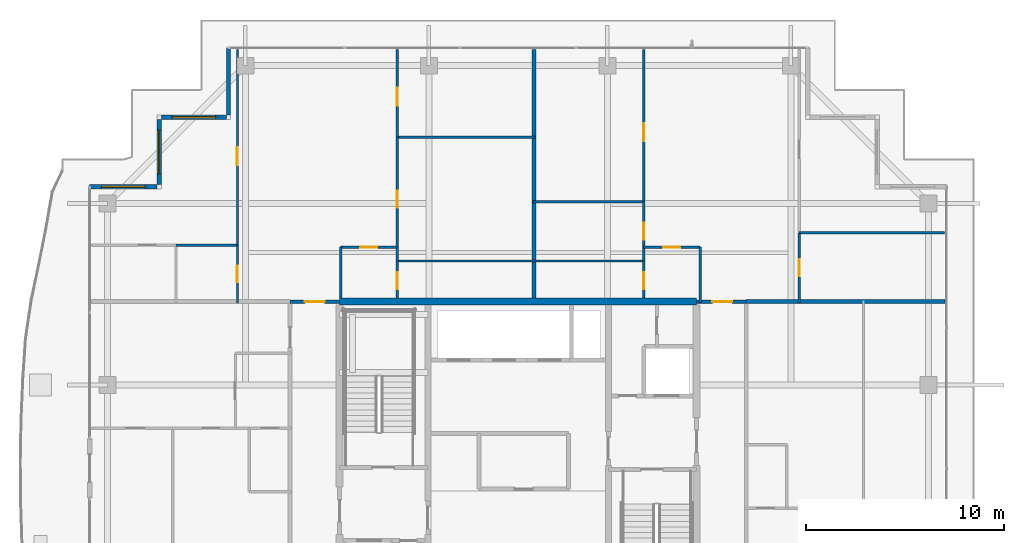
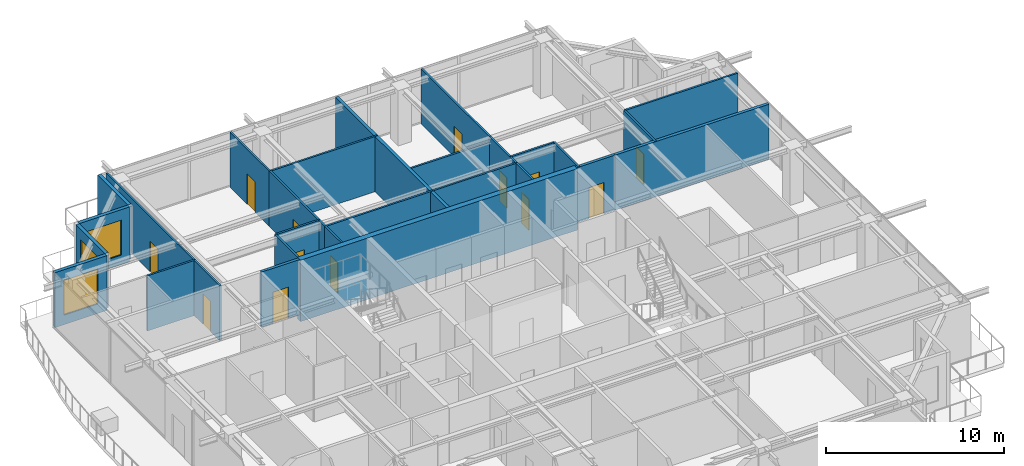
# One storey, part 28 of 36: 28 walls, 13 doors, 3 windows, 16 openings.
"""IFC4 building model written with IfcOpenShell, lengths in metres."""

from ifc_helpers import new_model, si_unit, direction, frame, frame_2d, origin, place, context, subcontext, project, spatial, rectangle, extrude, source, transform, mapped, material, layer, layer_set, type_object, element, fill, save


model = new_model("IFC4")

# Units and contexts
model_context = context("Model", 3, precision=1e-05, world=origin(), true_north=direction((0.0, 1.0)))
body_context = subcontext(model_context, "Body", "Model", "MODEL_VIEW")
ifc_project = project(units=[si_unit("LENGTHUNIT", "METRE"), si_unit("AREAUNIT", "SQUARE_METRE"), si_unit("VOLUMEUNIT", "CUBIC_METRE"), si_unit("PLANEANGLEUNIT", "RADIAN"), si_unit("MASSUNIT", "GRAM", prefix="KILO")], contexts=[model_context])

# Site, building, storey
site_placement = place(None, origin())
site = spatial("IfcSite", under=ifc_project, at=site_placement, CompositionType="ELEMENT")
building_placement = place(site_placement, origin())
building = spatial("IfcBuilding", under=site, at=building_placement, Name="Serunith Strait Residences", CompositionType="ELEMENT")
storey_placement = place(building_placement, frame((0.0, 0.0, 338.0)))
storey = spatial("IfcBuildingStorey", under=building, at=storey_placement, Name="L84", CompositionType="ELEMENT", Elevation=338.0)

# Wall
ifc_material_1 = material(Name="Pale-Champagne Aluminium Insulated Panel", Category="aluminium")
ifc_layer_1 = layer(ifc_material_1, 0.219970703125, Name="Pale-Champagne Aluminium Insulated Panel")
ifc_layer_set_1 = layer_set([ifc_layer_1], Name="Pale-Champagne Aluminium Insulated Panel")
wall_type_1 = type_object("IfcWallType", Name="EW-ALUM-220", PredefinedType="ELEMENTEDWALL", material=ifc_layer_set_1)
wall_1_placement = place(storey_placement, frame((17.800048828125, 46.39990234375, 0.0), z_axis=(0.0, 0.0, 1.0), x_axis=(0.0, -1.0, 0.0)))
element("IfcWall", 1, at=wall_1_placement, inside=storey, type_object=wall_type_1, Name="L84 Girih Serrated Corner Wall 12", PredefinedType="ELEMENTEDWALL", context=body_context, shape_type="SweptSolid", body=[
    extrude(rectangle(XDim=3.389892578125, YDim=0.219970703125, at=frame_2d((1.69482421875, 0.0))), origin(), (0.0, 0.0, 1.0), 3.77490234375),
])

# Wall, opening, window
wall_2_placement = place(storey_placement, frame((17.68994140625, 42.89990234375, 0.0), z_axis=(0.0, 0.0, 1.0), x_axis=(-1.0, 0.0, 0.0)))
wall_2 = element("IfcWall", 2, at=wall_2_placement, inside=storey, type_object=wall_type_1, Name="L84 Girih Serrated Corner Wall 13", PredefinedType="ELEMENTEDWALL", context=body_context, shape_type="SweptSolid", body=[
    extrude(rectangle(XDim=3.280029296875, YDim=0.219970703125, at=frame_2d((1.64013671875, 0.0))), origin(), (0.0, 0.0, 1.0), 3.77490234375),
])
opening_1_placement = place(wall_2_placement, frame((0.5400390625, 0.0, 0.64990234375)))
opening_1 = element("IfcOpeningElement", 3, at=opening_1_placement, cuts=wall_2, Name="Opening W-06", PredefinedType="OPENING", context=body_context, shape_type="SweptSolid", body=[
    extrude(rectangle(XDim=2.199951171875, YDim=2.39990234375, at=frame_2d((1.10009765625, 1.199951171875))), frame((0.0, 0.1201171875, 0.0), z_axis=(0.0, -1.0, 0.0), x_axis=(1.0, 0.0, 0.0)), (0.0, 0.0, 1.0), 0.239990234375),
])
ifc_material_2 = material(Name="Crown Penthouse Low-E Operable Window Glass", Category="glass")
window_type = type_object("IfcWindowType", Name="WIN-C6", PartitioningType="TRIPLE_PANEL_VERTICAL", PredefinedType="WINDOW", material=ifc_material_2)
shared_shape_1 = source(origin(), body_context, "Body", "SweptSolid", [
    extrude(rectangle(XDim=2.199951171875, YDim=2.39990234375, at=frame_2d((1.10009765625, 1.199951171875))), frame((0.0, 0.030029296875, 0.0), z_axis=(0.0, -1.0, 0.0), x_axis=(1.0, 0.0, 0.0)), (0.0, 0.0, 1.0), 0.06005859375),
])
window_1_placement = place(opening_1_placement, origin())
window_1 = element("IfcWindow", 4, at=window_1_placement, inside=storey, type_object=window_type, Name="L84 Corner Operable Fritted Window 13", OverallHeight=2.39990234375, OverallWidth=2.199951171875, PartitioningType="SINGLE_PANEL", PredefinedType="WINDOW", context=body_context, shape_type="MappedRepresentation", body=[
    mapped(shared_shape_1, transform((0.0, 0.0, 0.0), scale=1.0)),
])
fill(opening_1, window_1)

wall_3_placement = place(storey_placement, frame((14.300048828125, 42.7900390625, 0.0), z_axis=(0.0, 0.0, 1.0), x_axis=(0.0, -1.0, 0.0)))
wall_3 = element("IfcWall", 5, at=wall_3_placement, inside=storey, type_object=wall_type_1, Name="L84 Girih Serrated Corner Wall 14", PredefinedType="ELEMENTEDWALL", context=body_context, shape_type="SweptSolid", body=[
    extrude(rectangle(XDim=3.280029296875, YDim=0.219970703125, at=frame_2d((1.64013671875, 0.0))), origin(), (0.0, 0.0, 1.0), 3.77490234375),
])
opening_2_placement = place(wall_3_placement, frame((0.5400390625, 0.0, 0.64990234375)))
opening_2 = element("IfcOpeningElement", 6, at=opening_2_placement, cuts=wall_3, Name="Opening W-06", PredefinedType="OPENING", context=body_context, shape_type="SweptSolid", body=[
    extrude(rectangle(XDim=2.199951171875, YDim=2.39990234375, at=frame_2d((1.10009765625, 1.199951171875))), frame((0.0, 0.1201171875, 0.0), z_axis=(0.0, -1.0, 0.0), x_axis=(1.0, 0.0, 0.0)), (0.0, 0.0, 1.0), 0.239990234375),
])
window_2_placement = place(opening_2_placement, origin())
window_2 = element("IfcWindow", 7, at=window_2_placement, inside=storey, type_object=window_type, Name="L84 Corner Operable Fritted Window 14", OverallHeight=2.39990234375, OverallWidth=2.199951171875, PartitioningType="SINGLE_PANEL", PredefinedType="WINDOW", context=body_context, shape_type="MappedRepresentation", body=[
    mapped(shared_shape_1, transform((0.0, 0.0, 0.0), scale=1.0)),
])
fill(opening_2, window_2)

wall_4_placement = place(storey_placement, frame((14.18994140625, 39.39990234375, 0.0), z_axis=(0.0, 0.0, 1.0), x_axis=(-1.0, 0.0, 0.0)))
wall_4 = element("IfcWall", 8, at=wall_4_placement, inside=storey, type_object=wall_type_1, Name="L84 Girih Serrated Corner Wall 15", PredefinedType="ELEMENTEDWALL", context=body_context, shape_type="SweptSolid", body=[
    extrude(rectangle(XDim=3.389892578125, YDim=0.219970703125, at=frame_2d((1.69482421875, 0.0))), origin(), (0.0, 0.0, 1.0), 3.77490234375),
])
opening_3_placement = place(wall_4_placement, frame((0.594970703125, 0.0, 0.64990234375)))
opening_3 = element("IfcOpeningElement", 9, at=opening_3_placement, cuts=wall_4, Name="Opening W-06", PredefinedType="OPENING", context=body_context, shape_type="SweptSolid", body=[
    extrude(rectangle(XDim=2.199951171875, YDim=2.39990234375, at=frame_2d((1.10009765625, 1.199951171875))), frame((0.0, 0.1201171875, 0.0), z_axis=(0.0, -1.0, 0.0), x_axis=(1.0, 0.0, 0.0)), (0.0, 0.0, 1.0), 0.239990234375),
])
window_3_placement = place(opening_3_placement, origin())
window_3 = element("IfcWindow", 10, at=window_3_placement, inside=storey, type_object=window_type, Name="L84 Corner Operable Fritted Window 15", OverallHeight=2.39990234375, OverallWidth=2.199951171875, PartitioningType="SINGLE_PANEL", PredefinedType="WINDOW", context=body_context, shape_type="MappedRepresentation", body=[
    mapped(shared_shape_1, transform((0.0, 0.0, 0.0), scale=1.0)),
])
fill(opening_3, window_3)

# Wall, opening, door
ifc_material_3 = material(Name="Fire-rated acoustic gypsum partition")
ifc_layer_2 = layer(ifc_material_3, 0.179931640625, Name="Fire-rated acoustic gypsum partition")
ifc_layer_set_2 = layer_set([ifc_layer_2], Name="Fire-rated acoustic gypsum partition")
wall_type_2 = type_object("IfcWallType", Name="IW-CORR-180", PredefinedType="PARTITIONING", material=ifc_layer_set_2)
wall_5_placement = place(storey_placement, frame((20.902099609375, 33.60009765625, 0.0), z_axis=(0.0, 0.0, 1.0), x_axis=(1.0, 0.0, 0.0)))
wall_5 = element("IfcWall", 11, at=wall_5_placement, inside=storey, type_object=wall_type_2, Name="L84 Partition Wall 027", PredefinedType="PARTITIONING", context=body_context, shape_type="SweptSolid", body=[
    extrude(rectangle(XDim=2.495849609375, YDim=0.179931640625, at=frame_2d((1.248046875, 0.0))), origin(), (0.0, 0.0, 1.0), 3.7900390625),
])
opening_4_placement = place(wall_5_placement, frame((0.748046875, 0.0, 0.0)))
opening_4 = element("IfcOpeningElement", 12, at=opening_4_placement, cuts=wall_5, Name="Opening D-APT1000", PredefinedType="OPENING", context=body_context, shape_type="SweptSolid", body=[
    extrude(rectangle(XDim=1.0, YDim=2.14990234375, at=frame_2d((0.5, 1.074951171875))), frame((0.0, 0.10009765625, 0.0), z_axis=(0.0, -1.0, 0.0), x_axis=(1.0, 0.0, 0.0)), (0.0, 0.0, 1.0), 0.199951171875),
])
ifc_material_4 = material(Name="Solid timber engineered fire door", Category="wood")
door_type_1 = type_object("IfcDoorType", Name="ID-APT-1000", OperationType="NOTDEFINED", PredefinedType="DOOR", material=ifc_material_4)
shared_shape_2 = source(origin(), body_context, "Body", "SweptSolid", [
    extrude(rectangle(XDim=1.0, YDim=2.14990234375, at=frame_2d((0.5, 1.074951171875))), frame((0.0, 0.02490234375, 0.0), z_axis=(0.0, -1.0, 0.0), x_axis=(1.0, 0.0, 0.0)), (0.0, 0.0, 1.0), 0.050048828125),
])
door_1_placement = place(opening_4_placement, origin())
door_1 = element("IfcDoor", 13, at=door_1_placement, inside=storey, type_object=door_type_1, Name="L84 Unit 03 Entrance Door", OperationType="SINGLE_SWING_RIGHT", OverallHeight=2.14990234375, OverallWidth=1.0, PredefinedType="DOOR", context=body_context, shape_type="MappedRepresentation", body=[
    mapped(shared_shape_2, transform((0.0, 0.0, 0.0), scale=1.0)),
])
fill(opening_4, door_1)

wall_6_placement = place(storey_placement, frame((41.402099609375, 33.60009765625, 0.0), z_axis=(0.0, 0.0, 1.0), x_axis=(1.0, 0.0, 0.0)))
wall_6 = element("IfcWall", 14, at=wall_6_placement, inside=storey, type_object=wall_type_2, Name="L84 Partition Wall 030", PredefinedType="PARTITIONING", context=body_context, shape_type="SweptSolid", body=[
    extrude(rectangle(XDim=2.495849609375, YDim=0.179931640625, at=frame_2d((1.248046875, 0.0))), origin(), (0.0, 0.0, 1.0), 3.7900390625),
])
opening_5_placement = place(wall_6_placement, frame((0.7900390625, 0.0, 0.0)))
opening_5 = element("IfcOpeningElement", 15, at=opening_5_placement, cuts=wall_6, Name="Opening D-APT1000", PredefinedType="OPENING", context=body_context, shape_type="SweptSolid", body=[
    extrude(rectangle(XDim=1.0, YDim=2.14990234375, at=frame_2d((0.5, 1.074951171875))), frame((0.0, 0.10009765625, 0.0), z_axis=(0.0, -1.0, 0.0), x_axis=(1.0, 0.0, 0.0)), (0.0, 0.0, 1.0), 0.199951171875),
])
door_2_placement = place(opening_5_placement, origin())
door_2 = element("IfcDoor", 16, at=door_2_placement, inside=storey, type_object=door_type_1, Name="L84 Unit 04 Entrance Door", OperationType="SINGLE_SWING_LEFT", OverallHeight=2.14990234375, OverallWidth=1.0, PredefinedType="DOOR", context=body_context, shape_type="MappedRepresentation", body=[
    mapped(shared_shape_2, transform((0.0, 0.0, 0.0), scale=1.0)),
])
fill(opening_5, door_2)

ifc_material_5 = material(Name="Lightweight steel-stud gypsum partition", Category="steel")
ifc_layer_3 = layer(ifc_material_5, 0.1201171875, Name="Lightweight steel-stud gypsum partition")
ifc_layer_set_3 = layer_set([ifc_layer_3], Name="Lightweight steel-stud gypsum partition")
wall_type_3 = type_object("IfcWallType", Name="IW-PART-120", PredefinedType="PARTITIONING", material=ifc_layer_set_3)
wall_7_placement = place(storey_placement, frame((23.449951171875, 36.35009765625, 0.0), z_axis=(0.0, 0.0, 1.0), x_axis=(1.0, 0.0, 0.0)))
wall_7 = element("IfcWall", 17, at=wall_7_placement, inside=storey, type_object=wall_type_3, Name="L84 Partition Wall 054", PredefinedType="PARTITIONING", context=body_context, shape_type="SweptSolid", body=[
    extrude(rectangle(XDim=2.85009765625, YDim=0.1201171875, at=frame_2d((1.425048828125, 0.0))), origin(), (0.0, 0.0, 1.0), 3.7900390625),
])
opening_6_placement = place(wall_7_placement, frame((1.0, 0.0, 0.0)))
opening_6 = element("IfcOpeningElement", 18, at=opening_6_placement, cuts=wall_7, Name="Opening D-RM850", PredefinedType="OPENING", context=body_context, shape_type="SweptSolid", body=[
    extrude(rectangle(XDim=0.85009765625, YDim=2.10009765625, at=frame_2d((0.425048828125, 1.050048828125))), frame((0.0, 0.070068359375, 0.0), z_axis=(0.0, -1.0, 0.0), x_axis=(1.0, 0.0, 0.0)), (0.0, 0.0, 1.0), 0.14013671875),
])
ifc_material_6 = material(Name="Engineered timber flush study and kitchen door", Category="wood")
door_type_2 = type_object("IfcDoorType", Name="ID-ROOM-850", OperationType="NOTDEFINED", PredefinedType="DOOR", material=ifc_material_6)
shared_shape_3 = source(origin(), body_context, "Body", "SweptSolid", [
    extrude(rectangle(XDim=0.85009765625, YDim=2.10009765625, at=frame_2d((0.425048828125, 1.050048828125))), frame((0.0, 0.02490234375, 0.0), z_axis=(0.0, -1.0, 0.0), x_axis=(1.0, 0.0, 0.0)), (0.0, 0.0, 1.0), 0.050048828125),
])
door_3_placement = place(opening_6_placement, origin())
door_3 = element("IfcDoor", 19, at=door_3_placement, inside=storey, type_object=door_type_2, Name="L84 Kitchen 8403 Door", OperationType="SINGLE_SWING_RIGHT", OverallHeight=2.10009765625, OverallWidth=0.85009765625, PredefinedType="DOOR", context=body_context, shape_type="MappedRepresentation", body=[
    mapped(shared_shape_3, transform((0.0, 0.0, 0.0), scale=1.0)),
])
fill(opening_6, door_3)

# Wall
wall_8_placement = place(storey_placement, frame((23.449951171875, 36.35009765625, 0.0), z_axis=(0.0, 0.0, 1.0), x_axis=(0.0, -1.0, 0.0)))
element("IfcWall", 20, at=wall_8_placement, inside=storey, type_object=wall_type_3, Name="L84 Partition Wall 055", PredefinedType="PARTITIONING", context=body_context, shape_type="SweptSolid", body=[
    extrude(rectangle(XDim=2.5751953125, YDim=0.1201171875, at=frame_2d((1.28759765625, 0.0))), origin(), (0.0, 0.0, 1.0), 3.7900390625),
])

# Wall, opening, door
wall_9_placement = place(storey_placement, frame((18.25, 46.304931640625, 0.0), z_axis=(0.0, 0.0, 1.0), x_axis=(0.0, -1.0, 0.0)))
wall_9 = element("IfcWall", 21, at=wall_9_placement, inside=storey, type_object=wall_type_3, Name="L84 Partition Wall 056", PredefinedType="PARTITIONING", context=body_context, shape_type="SweptSolid", body=[
    extrude(rectangle(XDim=9.848876953125, YDim=0.1201171875, at=frame_2d((4.92431640625, 0.0))), origin(), (0.0, 0.0, 1.0), 3.7900390625),
])
opening_7_placement = place(wall_9_placement, frame((4.922119140625, 0.0, 0.0)))
opening_7 = element("IfcOpeningElement", 22, at=opening_7_placement, cuts=wall_9, Name="Opening D-RM900", PredefinedType="OPENING", context=body_context, shape_type="SweptSolid", body=[
    extrude(rectangle(XDim=0.89990234375, YDim=2.10009765625, at=frame_2d((0.449951171875, 1.050048828125))), frame((0.0, 0.070068359375, 0.0), z_axis=(0.0, -1.0, 0.0), x_axis=(1.0, 0.0, 0.0)), (0.0, 0.0, 1.0), 0.14013671875),
])
ifc_material_7 = material(Name="Engineered timber flush bedroom door", Category="wood")
door_type_3 = type_object("IfcDoorType", Name="ID-ROOM-900", OperationType="NOTDEFINED", PredefinedType="DOOR", material=ifc_material_7)
shared_shape_4 = source(origin(), body_context, "Body", "SweptSolid", [
    extrude(rectangle(XDim=0.89990234375, YDim=2.10009765625, at=frame_2d((0.449951171875, 1.050048828125))), frame((0.0, 0.02490234375, 0.0), z_axis=(0.0, -1.0, 0.0), x_axis=(1.0, 0.0, 0.0)), (0.0, 0.0, 1.0), 0.050048828125),
])
door_4_placement = place(opening_7_placement, origin())
door_4 = element("IfcDoor", 23, at=door_4_placement, inside=storey, type_object=door_type_3, Name="L84 Master Bedroom 1 8403 Door", OperationType="SINGLE_SWING_LEFT", OverallHeight=2.10009765625, OverallWidth=0.89990234375, PredefinedType="DOOR", context=body_context, shape_type="MappedRepresentation", body=[
    mapped(shared_shape_4, transform((0.0, 0.0, 0.0), scale=1.0)),
])
fill(opening_7, door_4)

# Wall
wall_10_placement = place(storey_placement, frame((15.152099609375, 36.4560546875, 0.0), z_axis=(0.0, 0.0, 1.0), x_axis=(1.0, 0.0, 0.0)))
element("IfcWall", 24, at=wall_10_placement, inside=storey, type_object=wall_type_3, Name="L84 Partition Wall 058", PredefinedType="PARTITIONING", context=body_context, shape_type="SweptSolid", body=[
    extrude(rectangle(XDim=3.097900390625, YDim=0.1201171875, at=frame_2d((1.548828125, 0.0))), origin(), (0.0, 0.0, 1.0), 3.7900390625),
])

# Wall, opening, door
wall_11_placement = place(storey_placement, frame((18.25, 36.4541015625, 0.0), z_axis=(0.0, 0.0, 1.0), x_axis=(0.0, -1.0, 0.0)))
wall_11 = element("IfcWall", 25, at=wall_11_placement, inside=storey, type_object=wall_type_3, Name="L84 Partition Wall 060", PredefinedType="PARTITIONING", context=body_context, shape_type="SweptSolid", body=[
    extrude(rectangle(XDim=2.9140625, YDim=0.1201171875, at=frame_2d((1.45703125, 0.0))), origin(), (0.0, 0.0, 1.0), 3.7900390625),
])
opening_8_placement = place(wall_11_placement, frame((1.031982421875, 0.0, 0.0)))
opening_8 = element("IfcOpeningElement", 26, at=opening_8_placement, cuts=wall_11, Name="Opening D-BTH850", PredefinedType="OPENING", context=body_context, shape_type="SweptSolid", body=[
    extrude(rectangle(XDim=0.85009765625, YDim=2.10009765625, at=frame_2d((0.425048828125, 1.050048828125))), frame((0.0, 0.070068359375, 0.0), z_axis=(0.0, -1.0, 0.0), x_axis=(1.0, 0.0, 0.0)), (0.0, 0.0, 1.0), 0.14013671875),
])
ifc_material_8 = material(Name="Moisture-resistant timber bathroom door", Category="wood")
door_type_4 = type_object("IfcDoorType", Name="ID-BATH-850", OperationType="NOTDEFINED", PredefinedType="DOOR", material=ifc_material_8)
door_5_placement = place(opening_8_placement, origin())
door_5 = element("IfcDoor", 27, at=door_5_placement, inside=storey, type_object=door_type_4, Name="L84 Bathroom 8403 Door", OperationType="SINGLE_SWING_LEFT", OverallHeight=2.10009765625, OverallWidth=0.85009765625, PredefinedType="DOOR", context=body_context, shape_type="MappedRepresentation", body=[
    mapped(shared_shape_3, transform((0.0, 0.0, 0.0), scale=1.0)),
])
fill(opening_8, door_5)

wall_12_placement = place(storey_placement, frame((26.300048828125, 46.304931640625, 0.0), z_axis=(0.0, 0.0, 1.0), x_axis=(0.0, -1.0, 0.0)))
wall_12 = element("IfcWall", 28, at=wall_12_placement, inside=storey, type_object=wall_type_3, Name="L84 Partition Wall 061", PredefinedType="PARTITIONING", context=body_context, shape_type="SweptSolid", body=[
    extrude(rectangle(XDim=4.404052734375, YDim=0.1201171875, at=frame_2d((2.2021484375, 0.0))), origin(), (0.0, 0.0, 1.0), 3.7900390625),
])
opening_9_placement = place(wall_12_placement, frame((1.927001953125, 0.0, 0.0)))
opening_9 = element("IfcOpeningElement", 29, at=opening_9_placement, cuts=wall_12, Name="Opening D-RM900", PredefinedType="OPENING", context=body_context, shape_type="SweptSolid", body=[
    extrude(rectangle(XDim=0.89990234375, YDim=2.10009765625, at=frame_2d((0.449951171875, 1.050048828125))), frame((0.0, 0.070068359375, 0.0), z_axis=(0.0, -1.0, 0.0), x_axis=(1.0, 0.0, 0.0)), (0.0, 0.0, 1.0), 0.14013671875),
])
door_6_placement = place(opening_9_placement, origin())
door_6 = element("IfcDoor", 30, at=door_6_placement, inside=storey, type_object=door_type_3, Name="L84 Bedroom 2 8403 Door", OperationType="SINGLE_SWING_RIGHT", OverallHeight=2.10009765625, OverallWidth=0.89990234375, PredefinedType="DOOR", context=body_context, shape_type="MappedRepresentation", body=[
    mapped(shared_shape_4, transform((0.0, 0.0, 0.0), scale=1.0)),
])
fill(opening_9, door_6)

# Walls
for number, where, z_axis, x_axis, name in (
    (31, (26.300048828125, 41.90087890625, 0.0), (0.0, 0.0, 1.0), (1.0, 0.0, 0.0), "L84 Partition Wall 062"),
    (32, (26.300048828125, 35.64990234375, 0.0), (0.0, 0.0, 1.0), (1.0, 0.0, 0.0), "L84 Partition Wall 063"),
):
    element("IfcWall", number, at=place(storey_placement, frame(where, z_axis=z_axis, x_axis=x_axis)), inside=storey, type_object=wall_type_3, Name=name, PredefinedType="PARTITIONING", context=body_context, shape_type="SweptSolid", body=[
        extrude(rectangle(XDim=6.9599609375, YDim=0.1201171875, at=frame_2d((3.47998046875, 0.0))), origin(), (0.0, 0.0, 1.0), 3.7900390625),
    ])

# Wall, opening, door
wall_13_placement = place(storey_placement, frame((26.300048828125, 41.89892578125, 0.0), z_axis=(0.0, 0.0, 1.0), x_axis=(0.0, -1.0, 0.0)))
wall_13 = element("IfcWall", 33, at=wall_13_placement, inside=storey, type_object=wall_type_3, Name="L84 Partition Wall 064", PredefinedType="PARTITIONING", context=body_context, shape_type="SweptSolid", body=[
    extrude(rectangle(XDim=6.2490234375, YDim=0.1201171875, at=frame_2d((3.12451171875, 0.0))), origin(), (0.0, 0.0, 1.0), 3.7900390625),
])
opening_10_placement = place(wall_13_placement, frame((2.699951171875, 0.0, 0.0)))
opening_10 = element("IfcOpeningElement", 34, at=opening_10_placement, cuts=wall_13, Name="Opening D-RM850", PredefinedType="OPENING", context=body_context, shape_type="SweptSolid", body=[
    extrude(rectangle(XDim=0.85009765625, YDim=2.10009765625, at=frame_2d((0.425048828125, 1.050048828125))), frame((0.0, 0.070068359375, 0.0), z_axis=(0.0, -1.0, 0.0), x_axis=(1.0, 0.0, 0.0)), (0.0, 0.0, 1.0), 0.14013671875),
])
door_7_placement = place(opening_10_placement, origin())
door_7 = element("IfcDoor", 35, at=door_7_placement, inside=storey, type_object=door_type_2, Name="L84 Walk-in Wardrobe 8403 Door", OperationType="SINGLE_SWING_LEFT", OverallHeight=2.10009765625, OverallWidth=0.85009765625, PredefinedType="DOOR", context=body_context, shape_type="MappedRepresentation", body=[
    mapped(shared_shape_3, transform((0.0, 0.0, 0.0), scale=1.0)),
])
fill(opening_10, door_7)

wall_14_placement = place(storey_placement, frame((26.300048828125, 35.64794921875, 0.0), z_axis=(0.0, 0.0, 1.0), x_axis=(0.0, -1.0, 0.0)))
wall_14 = element("IfcWall", 36, at=wall_14_placement, inside=storey, type_object=wall_type_3, Name="L84 Partition Wall 065", PredefinedType="PARTITIONING", context=body_context, shape_type="SweptSolid", body=[
    extrude(rectangle(XDim=1.873046875, YDim=0.1201171875, at=frame_2d((0.9365234375, 0.0))), origin(), (0.0, 0.0, 1.0), 3.7900390625),
])
opening_11_placement = place(wall_14_placement, frame((0.574951171875, 0.0, 0.0)))
opening_11 = element("IfcOpeningElement", 37, at=opening_11_placement, cuts=wall_14, Name="Opening D-BTH850", PredefinedType="OPENING", context=body_context, shape_type="SweptSolid", body=[
    extrude(rectangle(XDim=0.85009765625, YDim=2.10009765625, at=frame_2d((0.425048828125, 1.050048828125))), frame((0.0, 0.070068359375, 0.0), z_axis=(0.0, -1.0, 0.0), x_axis=(1.0, 0.0, 0.0)), (0.0, 0.0, 1.0), 0.14013671875),
])
door_8_placement = place(opening_11_placement, origin())
door_8 = element("IfcDoor", 38, at=door_8_placement, inside=storey, type_object=door_type_4, Name="L84 Bathroom 8403 Door", OperationType="SINGLE_SWING_RIGHT", OverallHeight=2.10009765625, OverallWidth=0.85009765625, PredefinedType="DOOR", context=body_context, shape_type="MappedRepresentation", body=[
    mapped(shared_shape_3, transform((0.0, 0.0, 0.0), scale=1.0)),
])
fill(opening_11, door_8)

wall_15_placement = place(storey_placement, frame((38.72998046875, 36.35009765625, 0.0), z_axis=(0.0, 0.0, 1.0), x_axis=(1.0, 0.0, 0.0)))
wall_15 = element("IfcWall", 39, at=wall_15_placement, inside=storey, type_object=wall_type_3, Name="L84 Partition Wall 066", PredefinedType="PARTITIONING", context=body_context, shape_type="SweptSolid", body=[
    extrude(rectangle(XDim=2.85009765625, YDim=0.1201171875, at=frame_2d((1.425048828125, 0.0))), origin(), (0.0, 0.0, 1.0), 3.7900390625),
])
opening_12_placement = place(wall_15_placement, frame((1.0, 0.0, 0.0)))
opening_12 = element("IfcOpeningElement", 40, at=opening_12_placement, cuts=wall_15, Name="Opening D-RM850", PredefinedType="OPENING", context=body_context, shape_type="SweptSolid", body=[
    extrude(rectangle(XDim=0.85009765625, YDim=2.10009765625, at=frame_2d((0.425048828125, 1.050048828125))), frame((0.0, 0.070068359375, 0.0), z_axis=(0.0, -1.0, 0.0), x_axis=(1.0, 0.0, 0.0)), (0.0, 0.0, 1.0), 0.14013671875),
])
door_9_placement = place(opening_12_placement, origin())
door_9 = element("IfcDoor", 41, at=door_9_placement, inside=storey, type_object=door_type_2, Name="L84 Kitchen 8404 Door", OperationType="SINGLE_SWING_LEFT", OverallHeight=2.10009765625, OverallWidth=0.85009765625, PredefinedType="DOOR", context=body_context, shape_type="MappedRepresentation", body=[
    mapped(shared_shape_3, transform((0.0, 0.0, 0.0), scale=1.0)),
])
fill(opening_12, door_9)

# Wall
wall_16_placement = place(storey_placement, frame((41.580078125, 36.35009765625, 0.0), z_axis=(0.0, 0.0, 1.0), x_axis=(0.0, -1.0, 0.0)))
element("IfcWall", 42, at=wall_16_placement, inside=storey, type_object=wall_type_3, Name="L84 Partition Wall 067", PredefinedType="PARTITIONING", context=body_context, shape_type="SweptSolid", body=[
    extrude(rectangle(XDim=2.81005859375, YDim=0.1201171875, at=frame_2d((1.405029296875, 0.0))), origin(), (0.0, 0.0, 1.0), 3.7900390625),
])

# Wall, opening, door
wall_17_placement = place(storey_placement, frame((38.72998046875, 46.304931640625, 0.0), z_axis=(0.0, 0.0, 1.0), x_axis=(0.0, -1.0, 0.0)))
wall_17 = element("IfcWall", 43, at=wall_17_placement, inside=storey, type_object=wall_type_3, Name="L84 Partition Wall 068", PredefinedType="PARTITIONING", context=body_context, shape_type="SweptSolid", body=[
    extrude(rectangle(XDim=7.659912109375, YDim=0.1201171875, at=frame_2d((3.830078125, 0.0))), origin(), (0.0, 0.0, 1.0), 3.7900390625),
])
opening_13_placement = place(wall_17_placement, frame((3.718017578125, 0.0, 0.0)))
opening_13 = element("IfcOpeningElement", 44, at=opening_13_placement, cuts=wall_17, Name="Opening D-RM900", PredefinedType="OPENING", context=body_context, shape_type="SweptSolid", body=[
    extrude(rectangle(XDim=0.89990234375, YDim=2.10009765625, at=frame_2d((0.449951171875, 1.050048828125))), frame((0.0, 0.070068359375, 0.0), z_axis=(0.0, -1.0, 0.0), x_axis=(1.0, 0.0, 0.0)), (0.0, 0.0, 1.0), 0.14013671875),
])
door_10_placement = place(opening_13_placement, origin())
door_10 = element("IfcDoor", 45, at=door_10_placement, inside=storey, type_object=door_type_3, Name="L84 Master Bedroom 1 8404 Door", OperationType="SINGLE_SWING_RIGHT", OverallHeight=2.10009765625, OverallWidth=0.89990234375, PredefinedType="DOOR", context=body_context, shape_type="MappedRepresentation", body=[
    mapped(shared_shape_4, transform((0.0, 0.0, 0.0), scale=1.0)),
])
fill(opening_13, door_10)

# Walls
wall_18_placement = place(storey_placement, frame((33.139892578125, 38.64501953125, 0.0), z_axis=(0.0, 0.0, 1.0), x_axis=(1.0, 0.0, 0.0)))
element("IfcWall", 46, at=wall_18_placement, inside=storey, type_object=wall_type_3, Name="L84 Partition Wall 069", PredefinedType="PARTITIONING", context=body_context, shape_type="SweptSolid", body=[
    extrude(rectangle(XDim=5.590087890625, YDim=0.1201171875, at=frame_2d((2.794921875, 0.0))), origin(), (0.0, 0.0, 1.0), 3.412109375),
])
wall_19_placement = place(storey_placement, frame((33.261962890625, 35.64990234375, 0.0), z_axis=(0.0, 0.0, 1.0), x_axis=(1.0, 0.0, 0.0)))
element("IfcWall", 47, at=wall_19_placement, inside=storey, type_object=wall_type_3, Name="L84 Partition Wall 070", PredefinedType="PARTITIONING", context=body_context, shape_type="SweptSolid", body=[
    extrude(rectangle(XDim=5.468017578125, YDim=0.1201171875, at=frame_2d((2.73388671875, 0.0))), origin(), (0.0, 0.0, 1.0), 3.7900390625),
])

# Wall, opening, door
wall_20_placement = place(storey_placement, frame((38.72998046875, 38.64306640625, 0.0), z_axis=(0.0, 0.0, 1.0), x_axis=(0.0, -1.0, 0.0)))
wall_20 = element("IfcWall", 48, at=wall_20_placement, inside=storey, type_object=wall_type_3, Name="L84 Partition Wall 071", PredefinedType="PARTITIONING", context=body_context, shape_type="SweptSolid", body=[
    extrude(rectangle(XDim=2.9931640625, YDim=0.1201171875, at=frame_2d((1.49658203125, 0.0))), origin(), (0.0, 0.0, 1.0), 3.7900390625),
])
opening_14_placement = place(wall_20_placement, frame((1.072021484375, 0.0, 0.0)))
opening_14 = element("IfcOpeningElement", 49, at=opening_14_placement, cuts=wall_20, Name="Opening D-RM850", PredefinedType="OPENING", context=body_context, shape_type="SweptSolid", body=[
    extrude(rectangle(XDim=0.85009765625, YDim=2.10009765625, at=frame_2d((0.425048828125, 1.050048828125))), frame((0.0, 0.070068359375, 0.0), z_axis=(0.0, -1.0, 0.0), x_axis=(1.0, 0.0, 0.0)), (0.0, 0.0, 1.0), 0.14013671875),
])
door_11_placement = place(opening_14_placement, origin())
door_11 = element("IfcDoor", 50, at=door_11_placement, inside=storey, type_object=door_type_2, Name="L84 Study 8404 Door", OperationType="SINGLE_SWING_LEFT", OverallHeight=2.10009765625, OverallWidth=0.85009765625, PredefinedType="DOOR", context=body_context, shape_type="MappedRepresentation", body=[
    mapped(shared_shape_3, transform((0.0, 0.0, 0.0), scale=1.0)),
])
fill(opening_14, door_11)

wall_21_placement = place(storey_placement, frame((38.72998046875, 35.64794921875, 0.0), z_axis=(0.0, 0.0, 1.0), x_axis=(0.0, -1.0, 0.0)))
wall_21 = element("IfcWall", 51, at=wall_21_placement, inside=storey, type_object=wall_type_3, Name="L84 Partition Wall 072", PredefinedType="PARTITIONING", context=body_context, shape_type="SweptSolid", body=[
    extrude(rectangle(XDim=1.873046875, YDim=0.1201171875, at=frame_2d((0.9365234375, 0.0))), origin(), (0.0, 0.0, 1.0), 3.7900390625),
])
opening_15_placement = place(wall_21_placement, frame((0.574951171875, 0.0, 0.0)))
opening_15 = element("IfcOpeningElement", 52, at=opening_15_placement, cuts=wall_21, Name="Opening D-BTH850", PredefinedType="OPENING", context=body_context, shape_type="SweptSolid", body=[
    extrude(rectangle(XDim=0.85009765625, YDim=2.10009765625, at=frame_2d((0.425048828125, 1.050048828125))), frame((0.0, 0.070068359375, 0.0), z_axis=(0.0, -1.0, 0.0), x_axis=(1.0, 0.0, 0.0)), (0.0, 0.0, 1.0), 0.14013671875),
])
door_12_placement = place(opening_15_placement, origin())
door_12 = element("IfcDoor", 53, at=door_12_placement, inside=storey, type_object=door_type_4, Name="L84 Bathroom 8404 Door", OperationType="SINGLE_SWING_RIGHT", OverallHeight=2.10009765625, OverallWidth=0.85009765625, PredefinedType="DOOR", context=body_context, shape_type="MappedRepresentation", body=[
    mapped(shared_shape_3, transform((0.0, 0.0, 0.0), scale=1.0)),
])
fill(opening_15, door_12)

# Wall
wall_22_placement = place(storey_placement, frame((46.570068359375, 37.075927734375, 0.0), z_axis=(0.0, 0.0, 1.0), x_axis=(1.0, 0.0, 0.0)))
element("IfcWall", 54, at=wall_22_placement, inside=storey, type_object=wall_type_3, Name="L84 Partition Wall 074", PredefinedType="PARTITIONING", context=body_context, shape_type="SweptSolid", body=[
    extrude(rectangle(XDim=7.3349609375, YDim=0.1201171875, at=frame_2d((3.66748046875, 0.0))), origin(), (0.0, 0.0, 1.0), 3.7900390625),
])

# Wall, opening, door
wall_23_placement = place(storey_placement, frame((46.570068359375, 37.073974609375, 0.0), z_axis=(0.0, 0.0, 1.0), x_axis=(0.0, -1.0, 0.0)))
wall_23 = element("IfcWall", 55, at=wall_23_placement, inside=storey, type_object=wall_type_3, Name="L84 Partition Wall 075", PredefinedType="PARTITIONING", context=body_context, shape_type="SweptSolid", body=[
    extrude(rectangle(XDim=3.533935546875, YDim=0.1201171875, at=frame_2d((1.76708984375, 0.0))), origin(), (0.0, 0.0, 1.0), 3.7900390625),
])
opening_16_placement = place(wall_23_placement, frame((1.342041015625, 0.0, 0.0)))
opening_16 = element("IfcOpeningElement", 56, at=opening_16_placement, cuts=wall_23, Name="Opening D-RM850", PredefinedType="OPENING", context=body_context, shape_type="SweptSolid", body=[
    extrude(rectangle(XDim=0.85009765625, YDim=2.10009765625, at=frame_2d((0.425048828125, 1.050048828125))), frame((0.0, 0.070068359375, 0.0), z_axis=(0.0, -1.0, 0.0), x_axis=(1.0, 0.0, 0.0)), (0.0, 0.0, 1.0), 0.14013671875),
])
door_13_placement = place(opening_16_placement, origin())
door_13 = element("IfcDoor", 57, at=door_13_placement, inside=storey, type_object=door_type_2, Name="L84 Walk-in Wardrobe 8404 Door", OperationType="SINGLE_SWING_RIGHT", OverallHeight=2.10009765625, OverallWidth=0.85009765625, PredefinedType="DOOR", context=body_context, shape_type="MappedRepresentation", body=[
    mapped(shared_shape_3, transform((0.0, 0.0, 0.0), scale=1.0)),
])
fill(opening_16, door_13)

# Walls
ifc_material_9 = material(Name="Twin-stud acoustic gypsum board partition")
ifc_layer_4 = layer(ifc_material_9, 0.199951171875, Name="Twin-stud acoustic gypsum board partition")
ifc_layer_set_4 = layer_set([ifc_layer_4], Name="Twin-stud acoustic gypsum board partition")
wall_type_4 = type_object("IfcWallType", Name="IW-PARTY-200", PredefinedType="PARTITIONING", material=ifc_layer_set_4)
wall_24_placement = place(storey_placement, frame((33.199951171875, 33.77490234375, 0.0), z_axis=(0.0, 0.0, 1.0), x_axis=(0.0, 1.0, 0.0)))
element("IfcWall", 58, at=wall_24_placement, inside=storey, type_object=wall_type_4, Name="L84 Partition Wall 021", PredefinedType="PARTITIONING", context=body_context, shape_type="SweptSolid", body=[
    extrude(rectangle(XDim=12.543212890625, YDim=0.199951171875, at=frame_2d((6.271484375, 0.0))), origin(), (0.0, 0.0, 1.0), 3.7900390625),
])
wall_25_placement = place(storey_placement, frame((43.89990234375, 33.60009765625, 0.0), z_axis=(0.0, 0.0, 1.0), x_axis=(1.0, 0.0, 0.0)))
element("IfcWall", 59, at=wall_25_placement, inside=storey, type_object=wall_type_4, Name="L84 Partition Wall 025", PredefinedType="PARTITIONING", context=body_context, shape_type="SweptSolid", body=[
    extrude(rectangle(XDim=10.01806640625, YDim=0.199951171875, at=frame_2d((5.009033203125, 0.0))), origin(), (0.0, 0.0, 1.0), 3.7900390625),
])
ifc_material_10 = material(Name="Concrete C60/75", Category="concrete")
ifc_layer_5 = layer(ifc_material_10, 0.35009765625, Name="Concrete C60/75")
ifc_layer_set_5 = layer_set([ifc_layer_5], Name="Concrete C60/75")
wall_type_5 = type_object("IfcWallType", Name="SW-350-C60", PredefinedType="SHEAR", material=ifc_layer_set_5)
wall_26_placement = place(storey_placement, frame((41.39990234375, 33.60009765625, -0.43994140625), z_axis=(0.0, 0.0, 1.0), x_axis=(-1.0, 0.0, 0.0)))
element("IfcWall", 60, at=wall_26_placement, inside=storey, type_object=wall_type_5, Name="L84 Core North Shear Wall", PredefinedType="SHEAR", context=body_context, shape_type="SweptSolid", body=[
    extrude(rectangle(XDim=18.0, YDim=0.35009765625, at=frame_2d((9.0, 0.0))), origin(), (0.0, 0.0, 1.0), 4.22802734375),
])

save(model, "model.ifc")
